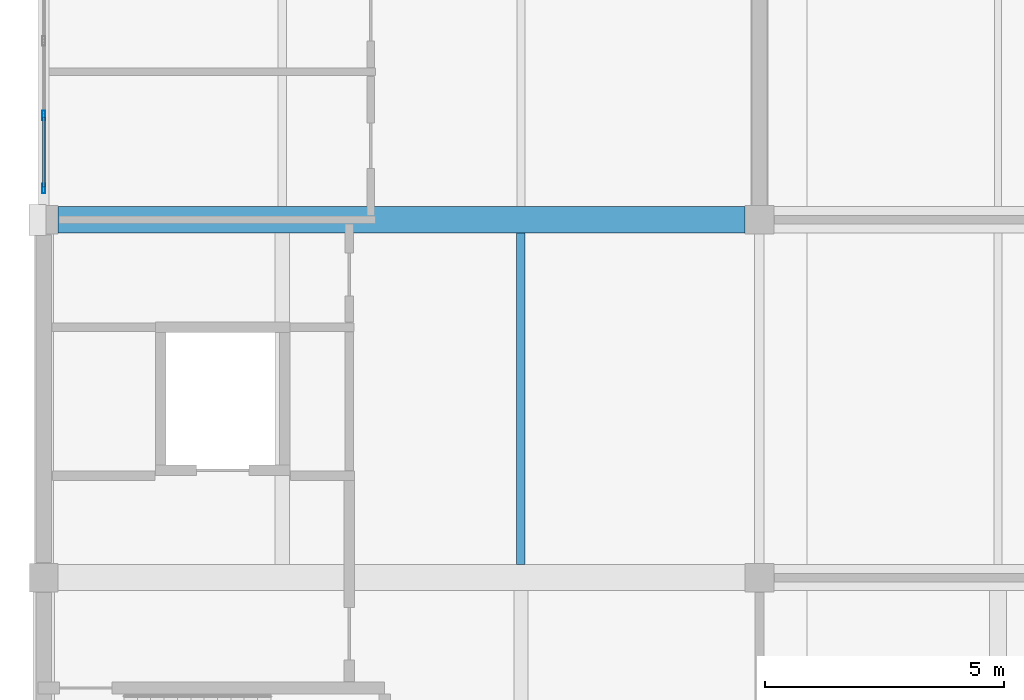
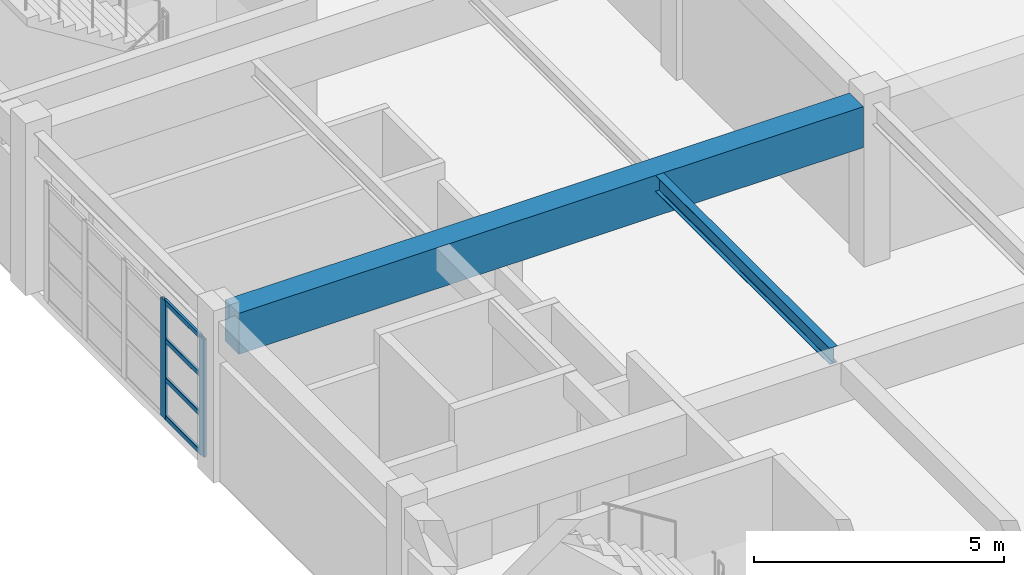
# One storey, part 15 of 124: 6 members, 2 beams, 1 element without a shape of its own.
"""IFC4 building model written with IfcOpenShell, lengths in metres."""

from ifc_helpers import new_model, si_unit, direction, frame, origin, origin_2d, place, context, subcontext, project, spatial, rectangle, hollow_rectangle, i_section, extrude, material, material_profile, profile_set, type_object, element, aggregate, save


model = new_model("IFC4")

# Units and contexts
model_context = context("Model", 3, precision=1e-05, world=origin(), true_north=direction((0.0, 1.0)))
body_context = subcontext(model_context, "Body", "Model", "MODEL_VIEW")
ifc_project = project(units=[si_unit("LENGTHUNIT", "METRE"), si_unit("AREAUNIT", "SQUARE_METRE"), si_unit("VOLUMEUNIT", "CUBIC_METRE"), si_unit("PLANEANGLEUNIT", "RADIAN"), si_unit("MASSUNIT", "GRAM", prefix="KILO")], contexts=[model_context])

# Site, building, storey
site_placement = place(None, origin())
site = spatial("IfcSite", under=ifc_project, at=site_placement, CompositionType="ELEMENT")
building_placement = place(site_placement, origin())
building = spatial("IfcBuilding", under=site, at=building_placement, Name="Qasida Concert Hall", CompositionType="ELEMENT")
storey_placement = place(building_placement, frame((0.0, 0.0, 9.0)))
storey = spatial("IfcBuildingStorey", under=building, at=storey_placement, Name="L02", CompositionType="ELEMENT", Elevation=9.0)

# Beams
ifc_material_1 = material(Name="Concrete C40/50", Category="concrete")
ifc_material_profile_1 = material_profile(ifc_material_1, rectangle(XDim=0.550048828125, YDim=1.0, at=origin_2d()), Name="RC 550x1000")
ifc_profile_set_1 = profile_set([ifc_material_profile_1], Name="Concrete C40/50")
beam_type_1 = type_object("IfcBeamType", Name="BM-G3", PredefinedType="USERDEFINED", material=ifc_profile_set_1)
beam_1_placement = place(storey_placement, frame((0.300048828125, 37.5, 3.39990234375), z_axis=(1.0, 0.0, 0.0), x_axis=(0.0, 1.0, 0.0)))
element("IfcBeam", 1, at=beam_1_placement, inside=storey, type_object=beam_type_1, Name="Primary girder 1284", ObjectType="GIRDER", PredefinedType="USERDEFINED", context=body_context, shape_type="SweptSolid", body=[
    extrude(rectangle(XDim=0.550048828125, YDim=1.0, at=origin_2d()), origin(), (0.0, 0.0, 1.0), 14.39990234375),
])
ifc_material_2 = material(Name="Steel S355J2", Category="steel")
ifc_material_profile_2 = material_profile(ifc_material_2, i_section(OverallWidth=0.179931640625, OverallDepth=0.39990234375, WebThickness=0.008544921875, FlangeThickness=0.013427734375, FilletRadius=0.02099609375, at=origin_2d()), Name="IPE 400")
ifc_profile_set_2 = profile_set([ifc_material_profile_2], Name="Steel S355J2")
beam_type_2 = type_object("IfcBeamType", Name="BM-J3", PredefinedType="JOIST", material=ifc_profile_set_2)
beam_2_placement = place(storey_placement, frame((10.0, 30.27490234375, 3.699951171875), z_axis=(0.0, 1.0, 0.0), x_axis=(-1.0, 0.0, 0.0)))
element("IfcBeam", 2, at=beam_2_placement, inside=storey, type_object=beam_type_2, Name="L02 secondary joist 1329", PredefinedType="JOIST", context=body_context, shape_type="SweptSolid", body=[
    extrude(i_section(OverallWidth=0.179931640625, OverallDepth=0.39990234375, WebThickness=0.008544921875, FlangeThickness=0.013427734375, FilletRadius=0.02099609375, at=origin_2d()), origin(), (0.0, 0.0, 1.0), 6.9501953125),
])

# Curtain wall, members
ifc_material_3 = material(Name="Architectural bronze-anodized aluminium and low-E glass", Category="aluminium")
curtain_wall_type = type_object("IfcCurtainWallType", Name="CW-08", PredefinedType="NOTDEFINED", material=ifc_material_3)
curtain_wall_placement = place(storey_placement, origin())
curtain_wall = element("IfcCurtainWall", 3, at=curtain_wall_placement, inside=storey, type_object=curtain_wall_type, Name="L02 curtain wall CW-08 0114", PredefinedType="NOTDEFINED")
ifc_material_4 = material(Name="Architectural bronze-anodized aluminium EN AW-6063", Category="aluminium")
ifc_material_profile_3 = material_profile(ifc_material_4, hollow_rectangle(XDim=0.06494140625, YDim=0.199951171875, WallThickness=0.0048828125, InnerFilletRadius=0.0048828125, OuterFilletRadius=0.010009765625, at=origin_2d()), Name="CWM 200x65x5")
ifc_profile_set_3 = profile_set([ifc_material_profile_3], Name="Architectural bronze-anodized aluminium EN AW-6063")
member_type_1 = type_object("IfcMemberType", Name="MB-CWM-2", PredefinedType="MULLION", material=ifc_profile_set_3)
member_1_placement = place(storey_placement, frame((0.0, 38.152587890625, 0.0), z_axis=(0.0, 0.0, 1.0), x_axis=(-1.0, 0.0, 0.0)))
member_1 = element("IfcMember", 4, at=member_1_placement, type_object=member_type_1, Name="CW-08 mullion 1", PredefinedType="MULLION", context=body_context, shape_type="SweptSolid", body=[
    extrude(hollow_rectangle(XDim=0.06494140625, YDim=0.199951171875, WallThickness=0.0048828125, InnerFilletRadius=0.0048828125, OuterFilletRadius=0.010009765625, at=origin_2d()), origin(), (0.0, 0.0, 1.0), 2.8701171875),
])
member_2_placement = place(storey_placement, frame((0.0, 39.68505859375, 0.0), z_axis=(0.0, 0.0, 1.0), x_axis=(-1.0, 0.0, 0.0)))
member_2 = element("IfcMember", 5, at=member_2_placement, type_object=member_type_1, Name="CW-08 mullion 2", PredefinedType="MULLION", context=body_context, shape_type="SweptSolid", body=[
    extrude(hollow_rectangle(XDim=0.06494140625, YDim=0.199951171875, WallThickness=0.0048828125, InnerFilletRadius=0.0048828125, OuterFilletRadius=0.010009765625, at=origin_2d()), origin(), (0.0, 0.0, 1.0), 2.8701171875),
])
ifc_material_profile_4 = material_profile(ifc_material_4, hollow_rectangle(XDim=0.06005859375, YDim=0.1201171875, WallThickness=0.00390625, InnerFilletRadius=0.00390625, OuterFilletRadius=0.008056640625, at=origin_2d()), Name="CWT 120x60x4")
ifc_profile_set_4 = profile_set([ifc_material_profile_4], Name="Architectural bronze-anodized aluminium EN AW-6063")
member_type_2 = type_object("IfcMemberType", Name="MB-CWT-2", PredefinedType="USERDEFINED", material=ifc_profile_set_4)
member_3_placement = place(storey_placement, frame((0.0, 38.18505859375, 0.030029296875), z_axis=(0.0, 1.0, 0.0), x_axis=(-1.0, 0.0, 0.0)))
member_3 = element("IfcMember", 6, at=member_3_placement, type_object=member_type_2, Name="CW-08 transom 1.1", ObjectType="TRANSOM", PredefinedType="USERDEFINED", context=body_context, shape_type="SweptSolid", body=[
    extrude(hollow_rectangle(XDim=0.06005859375, YDim=0.1201171875, WallThickness=0.00390625, InnerFilletRadius=0.00390625, OuterFilletRadius=0.008056640625, at=origin_2d()), origin(), (0.0, 0.0, 1.0), 1.467529296875),
])
member_4_placement = place(storey_placement, frame((0.0, 38.18505859375, 0.956787109375), z_axis=(0.0, 1.0, 0.0), x_axis=(-1.0, 0.0, 0.0)))
member_4 = element("IfcMember", 7, at=member_4_placement, type_object=member_type_2, Name="CW-08 transom 1.2", ObjectType="TRANSOM", PredefinedType="USERDEFINED", context=body_context, shape_type="SweptSolid", body=[
    extrude(hollow_rectangle(XDim=0.06005859375, YDim=0.1201171875, WallThickness=0.00390625, InnerFilletRadius=0.00390625, OuterFilletRadius=0.008056640625, at=origin_2d()), origin(), (0.0, 0.0, 1.0), 1.467529296875),
])
member_5_placement = place(storey_placement, frame((0.0, 38.18505859375, 1.913330078125), z_axis=(0.0, 1.0, 0.0), x_axis=(-1.0, 0.0, 0.0)))
member_5 = element("IfcMember", 8, at=member_5_placement, type_object=member_type_2, Name="CW-08 transom 1.3", ObjectType="TRANSOM", PredefinedType="USERDEFINED", context=body_context, shape_type="SweptSolid", body=[
    extrude(hollow_rectangle(XDim=0.06005859375, YDim=0.1201171875, WallThickness=0.00390625, InnerFilletRadius=0.00390625, OuterFilletRadius=0.008056640625, at=origin_2d()), origin(), (0.0, 0.0, 1.0), 1.467529296875),
])
member_6_placement = place(storey_placement, frame((0.0, 38.18505859375, 2.840087890625), z_axis=(0.0, 1.0, 0.0), x_axis=(-1.0, 0.0, 0.0)))
member_6 = element("IfcMember", 9, at=member_6_placement, type_object=member_type_2, Name="CW-08 transom 1.4", ObjectType="TRANSOM", PredefinedType="USERDEFINED", context=body_context, shape_type="SweptSolid", body=[
    extrude(hollow_rectangle(XDim=0.06005859375, YDim=0.1201171875, WallThickness=0.00390625, InnerFilletRadius=0.00390625, OuterFilletRadius=0.008056640625, at=origin_2d()), origin(), (0.0, 0.0, 1.0), 1.467529296875),
])
aggregate(curtain_wall, [member_1, member_2, member_3, member_4, member_5, member_6])

save(model, "model.ifc")
